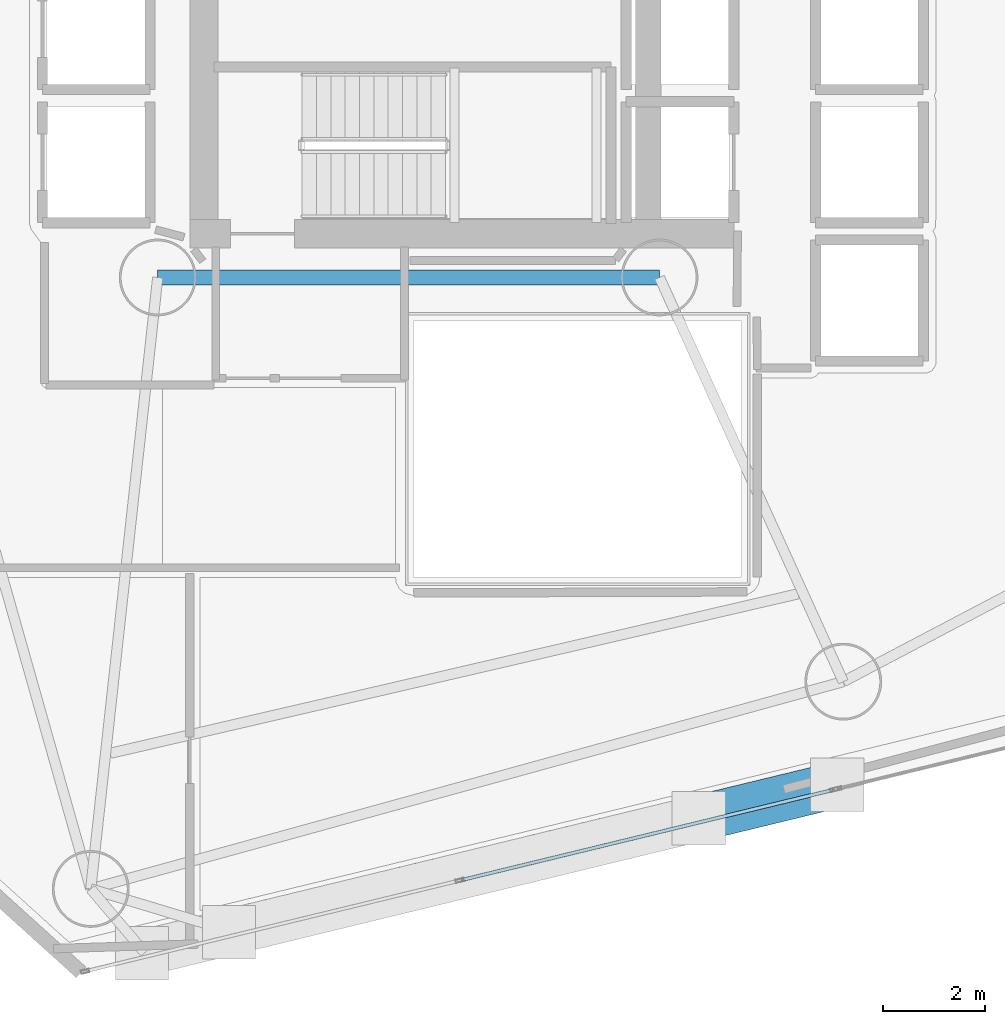
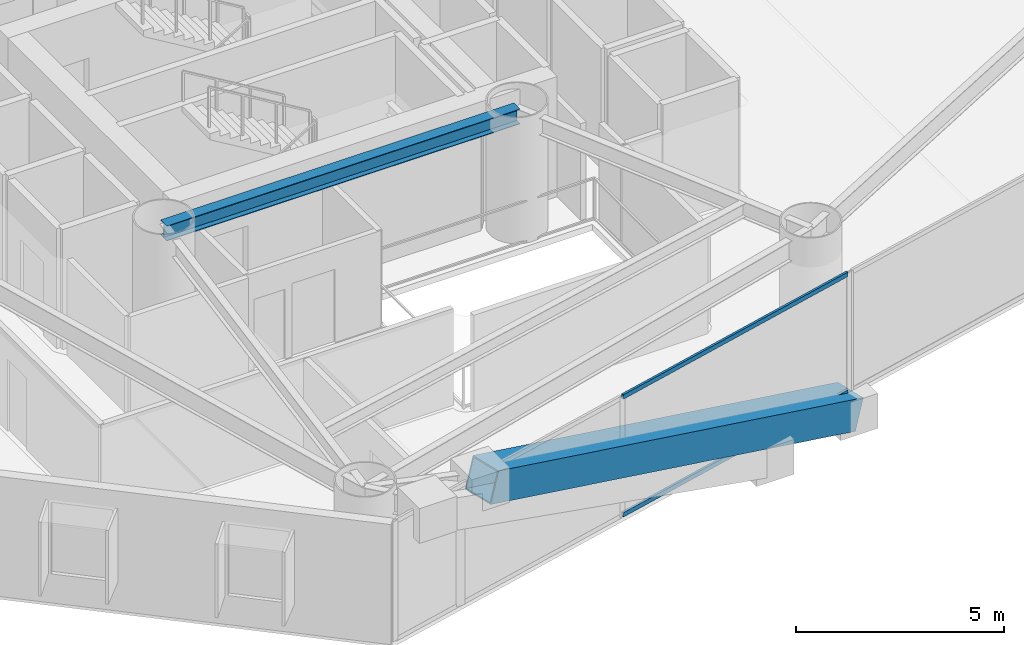
# One storey, part 6 of 24: 3 members, 1 beam, 1 element without a shape of its own.
"""IFC4 building model written with IfcOpenShell, lengths in metres."""

from ifc_helpers import new_model, si_unit, direction, frame, origin, origin_2d, place, context, subcontext, project, spatial, hollow_rectangle, i_section, extrude, material, layer, layer_set, material_profile, profile_set, type_object, element, aggregate, save


model = new_model("IFC4")

# Units and contexts
model_context = context("Model", 3, precision=1e-05, world=origin(), true_north=direction((0.0, 1.0)))
body_context = subcontext(model_context, "Body", "Model", "MODEL_VIEW")
ifc_project = project(units=[si_unit("LENGTHUNIT", "METRE"), si_unit("AREAUNIT", "SQUARE_METRE"), si_unit("VOLUMEUNIT", "CUBIC_METRE"), si_unit("PLANEANGLEUNIT", "RADIAN"), si_unit("MASSUNIT", "GRAM", prefix="KILO")], contexts=[model_context])

# Site, building, storey
site_placement = place(None, origin())
site = spatial("IfcSite", under=ifc_project, at=site_placement, CompositionType="ELEMENT")
building_placement = place(site_placement, origin())
building = spatial("IfcBuilding", under=site, at=building_placement, Name="Qianvela Tower", CompositionType="ELEMENT")
storey_placement = place(building_placement, frame((0.0, 0.0, 101.5)))
storey = spatial("IfcBuildingStorey", under=building, at=storey_placement, Name="L25", CompositionType="ELEMENT", Elevation=101.5)

# Beam
ifc_material_1 = material(Name="Steel Q355B", Category="steel")
ifc_material_profile_1 = material_profile(ifc_material_1, i_section(OverallWidth=0.300048828125, OverallDepth=0.43994140625, WebThickness=0.010986328125, FlangeThickness=0.01806640625, at=origin_2d()), Name="HM440x300x11x18")
ifc_profile_set_1 = profile_set([ifc_material_profile_1], Name="Steel Q355B")
beam_type = type_object("IfcBeamType", Name="BM-HM440-COLL", PredefinedType="BEAM", material=ifc_profile_set_1)
beam_placement = place(storey_placement, frame((28.60009765625, 23.85009765625, 3.298095703125), z_axis=(1.0, 0.0, 0.0), x_axis=(0.0, 1.0, 0.0)))
element("IfcBeam", 1, at=beam_placement, inside=storey, type_object=beam_type, Name="L25 Core Ring Collector Girder CC1", PredefinedType="BEAM", context=body_context, shape_type="SweptSolid", body=[
    extrude(i_section(OverallWidth=0.300048828125, OverallDepth=0.43994140625, WebThickness=0.010986328125, FlangeThickness=0.01806640625, at=origin_2d()), origin(), (0.0, 0.0, 1.0), 9.7998046875),
])

# Curtain wall, members
ifc_material_2 = material(Name="Anodised Architectural Aluminium and Insulated Spandrel Panel", Category="aluminium")
ifc_layer = layer(ifc_material_2, 0.179931640625)
ifc_layer_set = layer_set([ifc_layer], Name="Anodised Architectural Aluminium and Insulated Spandrel Panel")
curtain_wall_type = type_object("IfcCurtainWallType", Name="CW-BRACEBAY", PredefinedType="USERDEFINED", material=ifc_layer_set)
curtain_wall_placement = place(storey_placement, origin())
curtain_wall = element("IfcCurtainWall", 2, at=curtain_wall_placement, inside=storey, type_object=curtain_wall_type, Name="L25 CW-BRACEBAY Curtain Wall 06A", ObjectType="CURTAIN_WALL_SYSTEM", PredefinedType="USERDEFINED")
ifc_material_3 = material(Name="Anodised Architectural Aluminium 6063-T6", Category="aluminium")
ifc_material_profile_2 = material_profile(ifc_material_3, hollow_rectangle(XDim=0.06494140625, YDim=0.1298828125, WallThickness=0.00439453125, at=origin_2d()), Name="ALU-TRAN-65x130")
ifc_profile_set_2 = profile_set([ifc_material_profile_2], Name="Anodised Architectural Aluminium 6063-T6")
member_type_1 = type_object("IfcMemberType", Name="CW-BRACEBAY-TRAN", PredefinedType="USERDEFINED", material=ifc_profile_set_2)
member_1_placement = place(storey_placement, frame((34.529296875, 12.0810546875, 0.032470703125), z_axis=(0.971821724172, 0.235717068596, 0.0), x_axis=(-0.235717068596, 0.971821724172, 0.0)))
member_1 = element("IfcMember", 3, at=member_1_placement, type_object=member_type_1, Name="CW-9 transom 2.1", ObjectType="TRANSOM", PredefinedType="USERDEFINED", context=body_context, shape_type="SweptSolid", body=[
    extrude(hollow_rectangle(XDim=0.06494140625, YDim=0.1298828125, WallThickness=0.00439453125, at=origin_2d()), origin(), (0.0, 0.0, 1.0), 7.46240234375),
])
member_2_placement = place(storey_placement, frame((34.529296875, 12.0810546875, 3.487548828125), z_axis=(0.971821724172, 0.235717068596, 0.0), x_axis=(-0.235717068596, 0.971821724172, 0.0)))
member_2 = element("IfcMember", 4, at=member_2_placement, type_object=member_type_1, Name="CW-9 transom 2.2", ObjectType="TRANSOM", PredefinedType="USERDEFINED", context=body_context, shape_type="SweptSolid", body=[
    extrude(hollow_rectangle(XDim=0.06494140625, YDim=0.1298828125, WallThickness=0.00439453125, at=origin_2d()), origin(), (0.0, 0.0, 1.0), 7.46240234375),
])
aggregate(curtain_wall, [member_1, member_2])

# Member
ifc_material_4 = material(Name="Steel Q420GJC", Category="steel")
ifc_material_profile_3 = material_profile(ifc_material_4, hollow_rectangle(XDim=0.89990234375, YDim=0.89990234375, WallThickness=0.035888671875, at=origin_2d()), Name="MBOX-900x900x36")
ifc_profile_set_3 = profile_set([ifc_material_profile_3], Name="Steel Q420GJC")
member_type_2 = type_object("IfcMemberType", Name="MBR-MBRACE-900", PredefinedType="BRACE", material=ifc_profile_set_3)
member_3_placement = place(storey_placement, frame((41.8134765625, 13.93017578125, -0.48193359375), z_axis=(-0.929380404233, -0.225401365679, 0.292311971321), x_axis=(0.235695849464, -0.971826870664, 0.0)))
element("IfcMember", 5, at=member_3_placement, inside=storey, type_object=member_type_2, Name="L25 Tier 4 Exterior Mega-Brace F3B", PredefinedType="BRACE", context=body_context, shape_type="SweptSolid", body=[
    extrude(hollow_rectangle(XDim=0.89990234375, YDim=0.89990234375, WallThickness=0.035888671875, at=origin_2d()), origin(), (0.0, 0.0, 1.0), 12.657470703125),
])

save(model, "model.ifc")
